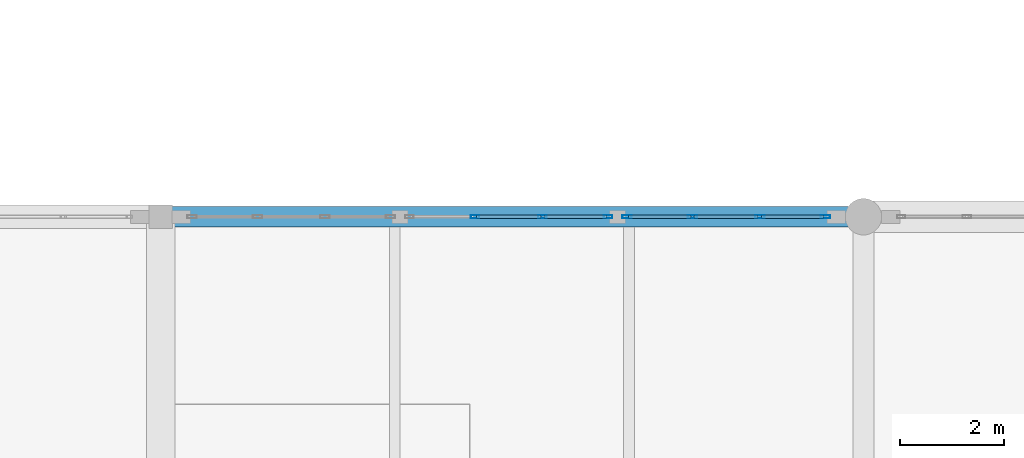
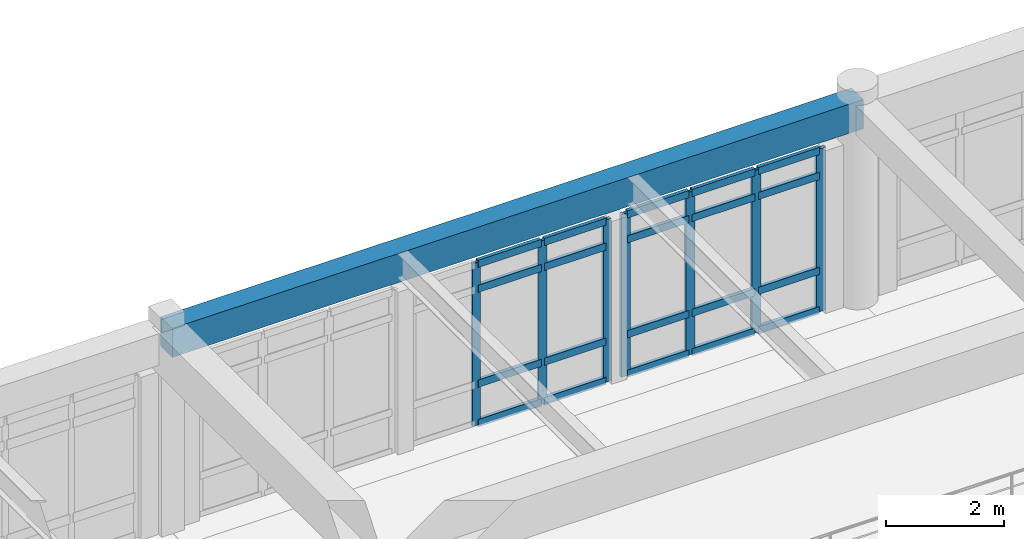
# One storey, part 31 of 109: 27 members, 1 beam, 2 elements without a shape of their own.
"""IFC4 building model written with IfcOpenShell, lengths in metres."""

from ifc_helpers import new_model, si_unit, direction, frame, origin, origin_2d, place, context, subcontext, project, spatial, rectangle, hollow_rectangle, extrude, material, layer, layer_set, material_profile, profile_set, type_object, element, aggregate, save


model = new_model("IFC4")

# Units and contexts
model_context = context("Model", 3, precision=1e-05, world=origin(), true_north=direction((0.0, 1.0)))
body_context = subcontext(model_context, "Body", "Model", "MODEL_VIEW")
ifc_project = project(units=[si_unit("LENGTHUNIT", "METRE"), si_unit("AREAUNIT", "SQUARE_METRE"), si_unit("VOLUMEUNIT", "CUBIC_METRE"), si_unit("PLANEANGLEUNIT", "RADIAN"), si_unit("MASSUNIT", "GRAM", prefix="KILO")], contexts=[model_context])

# Site, building, storey
site_placement = place(None, origin())
site = spatial("IfcSite", under=ifc_project, at=site_placement, CompositionType="ELEMENT")
building_placement = place(site_placement, origin())
building = spatial("IfcBuilding", under=site, at=building_placement, Name="Fikremerkos Civic Library", CompositionType="ELEMENT")
storey_placement = place(building_placement, frame((0.0, 0.0, 5.39990234375)))
storey = spatial("IfcBuildingStorey", under=building, at=storey_placement, Name="L01", CompositionType="ELEMENT", Elevation=5.39990234375)

# Curtain wall, members
ifc_material_1 = material(Name="Anodized aluminium Frame", Category="aluminium")
ifc_layer_1 = layer(ifc_material_1, 0.159912109375, Name="Anodized aluminium Frame")
ifc_layer_set_1 = layer_set([ifc_layer_1], Name="Anodized aluminium Frame")
curtain_wall_type_1 = type_object("IfcCurtainWallType", Name="Unitised curtain wall CW-01 3600x3600", PredefinedType="USERDEFINED", material=ifc_layer_set_1)
curtain_wall_1_placement = place(storey_placement, origin())
curtain_wall_1 = element("IfcCurtainWall", 1, at=curtain_wall_1_placement, inside=storey, type_object=curtain_wall_type_1, Name="Unitised curtain wall CW-01 L01 #91", ObjectType="UNITISED CURTAIN WALL", PredefinedType="USERDEFINED")
ifc_material_profile_1 = material_profile(ifc_material_1, hollow_rectangle(XDim=0.06494140625, YDim=0.179931640625, WallThickness=0.00439453125, at=origin_2d()), Name="ALU 180x65x4.5")
ifc_profile_set_1 = profile_set([ifc_material_profile_1], Name="Anodized aluminium Frame")
member_type_1 = type_object("IfcMemberType", Name="Curtain mullion CWM-01 ALU 180x65x4.5", PredefinedType="MULLION", material=ifc_profile_set_1)
member_1_placement = place(storey_placement, frame((82.158203125, 48.0, 0.0), z_axis=(0.0, 0.0, 1.0), x_axis=(0.0, 1.0, 0.0)))
member_1 = element("IfcMember", 2, at=member_1_placement, type_object=member_type_1, Name="CW-01 mullion 1", PredefinedType="MULLION", context=body_context, shape_type="SweptSolid", body=[
    extrude(hollow_rectangle(XDim=0.06494140625, YDim=0.179931640625, WallThickness=0.00439453125, at=origin_2d()), origin(), (0.0, 0.0, 1.0), 3.360107421875),
])
member_2_placement = place(storey_placement, frame((83.417724609375, 48.0, 0.0), z_axis=(0.0, 0.0, 1.0), x_axis=(0.0, 1.0, 0.0)))
member_2 = element("IfcMember", 3, at=member_2_placement, type_object=member_type_1, Name="CW-01 mullion 2", PredefinedType="MULLION", context=body_context, shape_type="SweptSolid", body=[
    extrude(hollow_rectangle(XDim=0.06494140625, YDim=0.179931640625, WallThickness=0.00439453125, at=origin_2d()), origin(), (0.0, 0.0, 1.0), 3.360107421875),
])
member_3_placement = place(storey_placement, frame((84.7099609375, 48.0, 0.0), z_axis=(0.0, 0.0, 1.0), x_axis=(0.0, 1.0, 0.0)))
member_3 = element("IfcMember", 4, at=member_3_placement, type_object=member_type_1, Name="CW-01 mullion 3", PredefinedType="MULLION", context=body_context, shape_type="SweptSolid", body=[
    extrude(hollow_rectangle(XDim=0.06494140625, YDim=0.179931640625, WallThickness=0.00439453125, at=origin_2d()), origin(), (0.0, 0.0, 1.0), 3.360107421875),
])
member_4_placement = place(storey_placement, frame((85.969482421875, 48.0, 0.0), z_axis=(0.0, 0.0, 1.0), x_axis=(0.0, 1.0, 0.0)))
member_4 = element("IfcMember", 5, at=member_4_placement, type_object=member_type_1, Name="CW-01 mullion 4", PredefinedType="MULLION", context=body_context, shape_type="SweptSolid", body=[
    extrude(hollow_rectangle(XDim=0.06494140625, YDim=0.179931640625, WallThickness=0.00439453125, at=origin_2d()), origin(), (0.0, 0.0, 1.0), 3.360107421875),
])

ifc_layer_2 = layer(ifc_material_1, 0.159912109375, Name="Anodized aluminium Frame")
ifc_layer_set_2 = layer_set([ifc_layer_2], Name="Anodized aluminium Frame")
curtain_wall_type_2 = type_object("IfcCurtainWallType", Name="Unitised curtain wall CW-18 2700x3400", PredefinedType="USERDEFINED", material=ifc_layer_set_2)
curtain_wall_2_placement = place(storey_placement, origin())
curtain_wall_2 = element("IfcCurtainWall", 6, at=curtain_wall_2_placement, inside=storey, type_object=curtain_wall_type_2, Name="Unitised curtain wall CW-18 L01 #90", ObjectType="UNITISED CURTAIN WALL", PredefinedType="USERDEFINED")
ifc_material_profile_2 = material_profile(ifc_material_1, hollow_rectangle(XDim=0.06005859375, YDim=0.159912109375, WallThickness=0.00390625, at=origin_2d()), Name="ALU 160x60x4")
ifc_profile_set_2 = profile_set([ifc_material_profile_2], Name="Anodized aluminium Frame")
member_type_2 = type_object("IfcMemberType", Name="Curtain mullion CWM-02 ALU 160x60x4", PredefinedType="MULLION", material=ifc_profile_set_2)
member_5_placement = place(storey_placement, frame((79.241455078125, 48.0, 0.0), z_axis=(0.0, 0.0, 1.0), x_axis=(0.0, 1.0, 0.0)))
member_5 = element("IfcMember", 7, at=member_5_placement, type_object=member_type_2, Name="CW-18 mullion 2", PredefinedType="MULLION", context=body_context, shape_type="SweptSolid", body=[
    extrude(hollow_rectangle(XDim=0.06005859375, YDim=0.159912109375, WallThickness=0.00390625, at=origin_2d()), origin(), (0.0, 0.0, 1.0), 3.360107421875),
])
member_6_placement = place(storey_placement, frame((80.533447265625, 48.0, 0.0), z_axis=(0.0, 0.0, 1.0), x_axis=(0.0, 1.0, 0.0)))
member_6 = element("IfcMember", 8, at=member_6_placement, type_object=member_type_2, Name="CW-18 mullion 3", PredefinedType="MULLION", context=body_context, shape_type="SweptSolid", body=[
    extrude(hollow_rectangle(XDim=0.06005859375, YDim=0.159912109375, WallThickness=0.00390625, at=origin_2d()), origin(), (0.0, 0.0, 1.0), 3.360107421875),
])
member_7_placement = place(storey_placement, frame((81.795654296875, 48.0, 0.0), z_axis=(0.0, 0.0, 1.0), x_axis=(0.0, 1.0, 0.0)))
member_7 = element("IfcMember", 9, at=member_7_placement, type_object=member_type_2, Name="CW-18 mullion 4", PredefinedType="MULLION", context=body_context, shape_type="SweptSolid", body=[
    extrude(hollow_rectangle(XDim=0.06005859375, YDim=0.159912109375, WallThickness=0.00390625, at=origin_2d()), origin(), (0.0, 0.0, 1.0), 3.360107421875),
])
ifc_material_profile_3 = material_profile(ifc_material_1, hollow_rectangle(XDim=0.070068359375, YDim=0.14990234375, WallThickness=0.00439453125, at=origin_2d()), Name="ALU 150x70x4.5")
ifc_profile_set_3 = profile_set([ifc_material_profile_3], Name="Anodized aluminium Frame")
member_type_3 = type_object("IfcMemberType", Name="Curtain transom CWT-01 ALU 150x70x4.5", PredefinedType="USERDEFINED", material=ifc_profile_set_3)
member_8_placement = place(storey_placement, frame((79.271484375, 48.0, 0.03515625), z_axis=(1.0, 0.0, 0.0), x_axis=(0.0, 1.0, 0.0)))
member_8 = element("IfcMember", 10, at=member_8_placement, type_object=member_type_3, Name="CW-18 transom 2.1", ObjectType="TRANSOM", PredefinedType="USERDEFINED", context=body_context, shape_type="SweptSolid", body=[
    extrude(hollow_rectangle(XDim=0.070068359375, YDim=0.14990234375, WallThickness=0.00439453125, at=origin_2d()), origin(), (0.0, 0.0, 1.0), 1.232177734375),
])
member_9_placement = place(storey_placement, frame((79.271484375, 48.0, 0.85009765625), z_axis=(1.0, 0.0, 0.0), x_axis=(0.0, 1.0, 0.0)))
member_9 = element("IfcMember", 11, at=member_9_placement, type_object=member_type_3, Name="CW-18 transom 2.2", ObjectType="TRANSOM", PredefinedType="USERDEFINED", context=body_context, shape_type="SweptSolid", body=[
    extrude(hollow_rectangle(XDim=0.070068359375, YDim=0.14990234375, WallThickness=0.00439453125, at=origin_2d()), origin(), (0.0, 0.0, 1.0), 1.232177734375),
])
member_10_placement = place(storey_placement, frame((79.271484375, 48.0, 2.81005859375), z_axis=(1.0, 0.0, 0.0), x_axis=(0.0, 1.0, 0.0)))
member_10 = element("IfcMember", 12, at=member_10_placement, type_object=member_type_3, Name="CW-18 transom 2.3", ObjectType="TRANSOM", PredefinedType="USERDEFINED", context=body_context, shape_type="SweptSolid", body=[
    extrude(hollow_rectangle(XDim=0.070068359375, YDim=0.14990234375, WallThickness=0.00439453125, at=origin_2d()), origin(), (0.0, 0.0, 1.0), 1.232177734375),
])
member_11_placement = place(storey_placement, frame((79.271484375, 48.0, 3.3251953125), z_axis=(1.0, 0.0, 0.0), x_axis=(0.0, 1.0, 0.0)))
member_11 = element("IfcMember", 13, at=member_11_placement, type_object=member_type_3, Name="CW-18 transom 2.4", ObjectType="TRANSOM", PredefinedType="USERDEFINED", context=body_context, shape_type="SweptSolid", body=[
    extrude(hollow_rectangle(XDim=0.070068359375, YDim=0.14990234375, WallThickness=0.00439453125, at=origin_2d()), origin(), (0.0, 0.0, 1.0), 1.232177734375),
])
member_12_placement = place(storey_placement, frame((80.5634765625, 48.0, 0.03515625), z_axis=(1.0, 0.0, 0.0), x_axis=(0.0, 1.0, 0.0)))
member_12 = element("IfcMember", 14, at=member_12_placement, type_object=member_type_3, Name="CW-18 transom 3.1", ObjectType="TRANSOM", PredefinedType="USERDEFINED", context=body_context, shape_type="SweptSolid", body=[
    extrude(hollow_rectangle(XDim=0.070068359375, YDim=0.14990234375, WallThickness=0.00439453125, at=origin_2d()), origin(), (0.0, 0.0, 1.0), 1.2021484375),
])
member_13_placement = place(storey_placement, frame((80.5634765625, 48.0, 0.85009765625), z_axis=(1.0, 0.0, 0.0), x_axis=(0.0, 1.0, 0.0)))
member_13 = element("IfcMember", 15, at=member_13_placement, type_object=member_type_3, Name="CW-18 transom 3.2", ObjectType="TRANSOM", PredefinedType="USERDEFINED", context=body_context, shape_type="SweptSolid", body=[
    extrude(hollow_rectangle(XDim=0.070068359375, YDim=0.14990234375, WallThickness=0.00439453125, at=origin_2d()), origin(), (0.0, 0.0, 1.0), 1.2021484375),
])
member_14_placement = place(storey_placement, frame((80.5634765625, 48.0, 2.81005859375), z_axis=(1.0, 0.0, 0.0), x_axis=(0.0, 1.0, 0.0)))
member_14 = element("IfcMember", 16, at=member_14_placement, type_object=member_type_3, Name="CW-18 transom 3.3", ObjectType="TRANSOM", PredefinedType="USERDEFINED", context=body_context, shape_type="SweptSolid", body=[
    extrude(hollow_rectangle(XDim=0.070068359375, YDim=0.14990234375, WallThickness=0.00439453125, at=origin_2d()), origin(), (0.0, 0.0, 1.0), 1.2021484375),
])
member_15_placement = place(storey_placement, frame((80.5634765625, 48.0, 3.3251953125), z_axis=(1.0, 0.0, 0.0), x_axis=(0.0, 1.0, 0.0)))
member_15 = element("IfcMember", 17, at=member_15_placement, type_object=member_type_3, Name="CW-18 transom 3.4", ObjectType="TRANSOM", PredefinedType="USERDEFINED", context=body_context, shape_type="SweptSolid", body=[
    extrude(hollow_rectangle(XDim=0.070068359375, YDim=0.14990234375, WallThickness=0.00439453125, at=origin_2d()), origin(), (0.0, 0.0, 1.0), 1.2021484375),
])
aggregate(curtain_wall_2, [member_5, member_6, member_7, member_8, member_9, member_10, member_11, member_12, member_13, member_14, member_15])

# Member
member_16_placement = place(storey_placement, frame((82.190673828125, 48.0, 0.03515625), z_axis=(1.0, 0.0, 0.0), x_axis=(0.0, 1.0, 0.0)))
member_16 = element("IfcMember", 18, at=member_16_placement, type_object=member_type_3, Name="CW-01 transom 1.1", ObjectType="TRANSOM", PredefinedType="USERDEFINED", context=body_context, shape_type="SweptSolid", body=[
    extrude(hollow_rectangle(XDim=0.070068359375, YDim=0.14990234375, WallThickness=0.00439453125, at=origin_2d()), origin(), (0.0, 0.0, 1.0), 1.194580078125),
])

member_17_placement = place(storey_placement, frame((82.190673828125, 48.0, 0.85009765625), z_axis=(1.0, 0.0, 0.0), x_axis=(0.0, 1.0, 0.0)))
member_17 = element("IfcMember", 19, at=member_17_placement, type_object=member_type_3, Name="CW-01 transom 1.2", ObjectType="TRANSOM", PredefinedType="USERDEFINED", context=body_context, shape_type="SweptSolid", body=[
    extrude(hollow_rectangle(XDim=0.070068359375, YDim=0.14990234375, WallThickness=0.00439453125, at=origin_2d()), origin(), (0.0, 0.0, 1.0), 1.194580078125),
])

member_18_placement = place(storey_placement, frame((82.190673828125, 48.0, 2.81005859375), z_axis=(1.0, 0.0, 0.0), x_axis=(0.0, 1.0, 0.0)))
member_18 = element("IfcMember", 20, at=member_18_placement, type_object=member_type_3, Name="CW-01 transom 1.3", ObjectType="TRANSOM", PredefinedType="USERDEFINED", context=body_context, shape_type="SweptSolid", body=[
    extrude(hollow_rectangle(XDim=0.070068359375, YDim=0.14990234375, WallThickness=0.00439453125, at=origin_2d()), origin(), (0.0, 0.0, 1.0), 1.194580078125),
])

member_19_placement = place(storey_placement, frame((82.190673828125, 48.0, 3.3251953125), z_axis=(1.0, 0.0, 0.0), x_axis=(0.0, 1.0, 0.0)))
member_19 = element("IfcMember", 21, at=member_19_placement, type_object=member_type_3, Name="CW-01 transom 1.4", ObjectType="TRANSOM", PredefinedType="USERDEFINED", context=body_context, shape_type="SweptSolid", body=[
    extrude(hollow_rectangle(XDim=0.070068359375, YDim=0.14990234375, WallThickness=0.00439453125, at=origin_2d()), origin(), (0.0, 0.0, 1.0), 1.194580078125),
])

member_20_placement = place(storey_placement, frame((83.4501953125, 48.0, 0.03515625), z_axis=(1.0, 0.0, 0.0), x_axis=(0.0, 1.0, 0.0)))
member_20 = element("IfcMember", 22, at=member_20_placement, type_object=member_type_3, Name="CW-01 transom 2.1", ObjectType="TRANSOM", PredefinedType="USERDEFINED", context=body_context, shape_type="SweptSolid", body=[
    extrude(hollow_rectangle(XDim=0.070068359375, YDim=0.14990234375, WallThickness=0.00439453125, at=origin_2d()), origin(), (0.0, 0.0, 1.0), 1.227294921875),
])

member_21_placement = place(storey_placement, frame((83.4501953125, 48.0, 0.85009765625), z_axis=(1.0, 0.0, 0.0), x_axis=(0.0, 1.0, 0.0)))
member_21 = element("IfcMember", 23, at=member_21_placement, type_object=member_type_3, Name="CW-01 transom 2.2", ObjectType="TRANSOM", PredefinedType="USERDEFINED", context=body_context, shape_type="SweptSolid", body=[
    extrude(hollow_rectangle(XDim=0.070068359375, YDim=0.14990234375, WallThickness=0.00439453125, at=origin_2d()), origin(), (0.0, 0.0, 1.0), 1.227294921875),
])

member_22_placement = place(storey_placement, frame((83.4501953125, 48.0, 2.81005859375), z_axis=(1.0, 0.0, 0.0), x_axis=(0.0, 1.0, 0.0)))
member_22 = element("IfcMember", 24, at=member_22_placement, type_object=member_type_3, Name="CW-01 transom 2.3", ObjectType="TRANSOM", PredefinedType="USERDEFINED", context=body_context, shape_type="SweptSolid", body=[
    extrude(hollow_rectangle(XDim=0.070068359375, YDim=0.14990234375, WallThickness=0.00439453125, at=origin_2d()), origin(), (0.0, 0.0, 1.0), 1.227294921875),
])

member_23_placement = place(storey_placement, frame((83.4501953125, 48.0, 3.3251953125), z_axis=(1.0, 0.0, 0.0), x_axis=(0.0, 1.0, 0.0)))
member_23 = element("IfcMember", 25, at=member_23_placement, type_object=member_type_3, Name="CW-01 transom 2.4", ObjectType="TRANSOM", PredefinedType="USERDEFINED", context=body_context, shape_type="SweptSolid", body=[
    extrude(hollow_rectangle(XDim=0.070068359375, YDim=0.14990234375, WallThickness=0.00439453125, at=origin_2d()), origin(), (0.0, 0.0, 1.0), 1.227294921875),
])

member_24_placement = place(storey_placement, frame((84.742431640625, 48.0, 0.03515625), z_axis=(1.0, 0.0, 0.0), x_axis=(0.0, 1.0, 0.0)))
member_24 = element("IfcMember", 26, at=member_24_placement, type_object=member_type_3, Name="CW-01 transom 3.1", ObjectType="TRANSOM", PredefinedType="USERDEFINED", context=body_context, shape_type="SweptSolid", body=[
    extrude(hollow_rectangle(XDim=0.070068359375, YDim=0.14990234375, WallThickness=0.00439453125, at=origin_2d()), origin(), (0.0, 0.0, 1.0), 1.194580078125),
])

member_25_placement = place(storey_placement, frame((84.742431640625, 48.0, 0.85009765625), z_axis=(1.0, 0.0, 0.0), x_axis=(0.0, 1.0, 0.0)))
member_25 = element("IfcMember", 27, at=member_25_placement, type_object=member_type_3, Name="CW-01 transom 3.2", ObjectType="TRANSOM", PredefinedType="USERDEFINED", context=body_context, shape_type="SweptSolid", body=[
    extrude(hollow_rectangle(XDim=0.070068359375, YDim=0.14990234375, WallThickness=0.00439453125, at=origin_2d()), origin(), (0.0, 0.0, 1.0), 1.194580078125),
])

member_26_placement = place(storey_placement, frame((84.742431640625, 48.0, 2.81005859375), z_axis=(1.0, 0.0, 0.0), x_axis=(0.0, 1.0, 0.0)))
member_26 = element("IfcMember", 28, at=member_26_placement, type_object=member_type_3, Name="CW-01 transom 3.3", ObjectType="TRANSOM", PredefinedType="USERDEFINED", context=body_context, shape_type="SweptSolid", body=[
    extrude(hollow_rectangle(XDim=0.070068359375, YDim=0.14990234375, WallThickness=0.00439453125, at=origin_2d()), origin(), (0.0, 0.0, 1.0), 1.194580078125),
])

member_27_placement = place(storey_placement, frame((84.742431640625, 48.0, 3.3251953125), z_axis=(1.0, 0.0, 0.0), x_axis=(0.0, 1.0, 0.0)))
member_27 = element("IfcMember", 29, at=member_27_placement, type_object=member_type_3, Name="CW-01 transom 3.4", ObjectType="TRANSOM", PredefinedType="USERDEFINED", context=body_context, shape_type="SweptSolid", body=[
    extrude(hollow_rectangle(XDim=0.070068359375, YDim=0.14990234375, WallThickness=0.00439453125, at=origin_2d()), origin(), (0.0, 0.0, 1.0), 1.194580078125),
])

aggregate(curtain_wall_1, [member_1, member_2, member_3, member_4, member_16, member_17, member_18, member_19, member_20, member_21, member_22, member_23, member_24, member_25, member_26, member_27])

# Beam
ifc_material_2 = material(Name="Concrete C40/50", Category="concrete")
ifc_material_profile_4 = material_profile(ifc_material_2, rectangle(XDim=0.39990234375, YDim=0.60009765625, at=origin_2d()), Name="RC 400x600")
ifc_profile_set_4 = profile_set([ifc_material_profile_4], Name="Concrete C40/50")
beam_type = type_object("IfcBeamType", Name="Primary girder BM-08 RC 400x600", PredefinedType="BEAM", material=ifc_profile_set_4)
beam_placement = place(storey_placement, frame((73.199951171875, 48.0, 3.920166015625), z_axis=(1.0, 0.0, 0.0), x_axis=(0.0, 1.0, 0.0)))
element("IfcBeam", 30, at=beam_placement, inside=storey, type_object=beam_type, Name="Primary girder BM-08 L01 grid J", PredefinedType="BEAM", context=body_context, shape_type="SweptSolid", body=[
    extrude(rectangle(XDim=0.39990234375, YDim=0.60009765625, at=origin_2d()), origin(), (0.0, 0.0, 1.0), 13.5),
])

save(model, "model.ifc")
